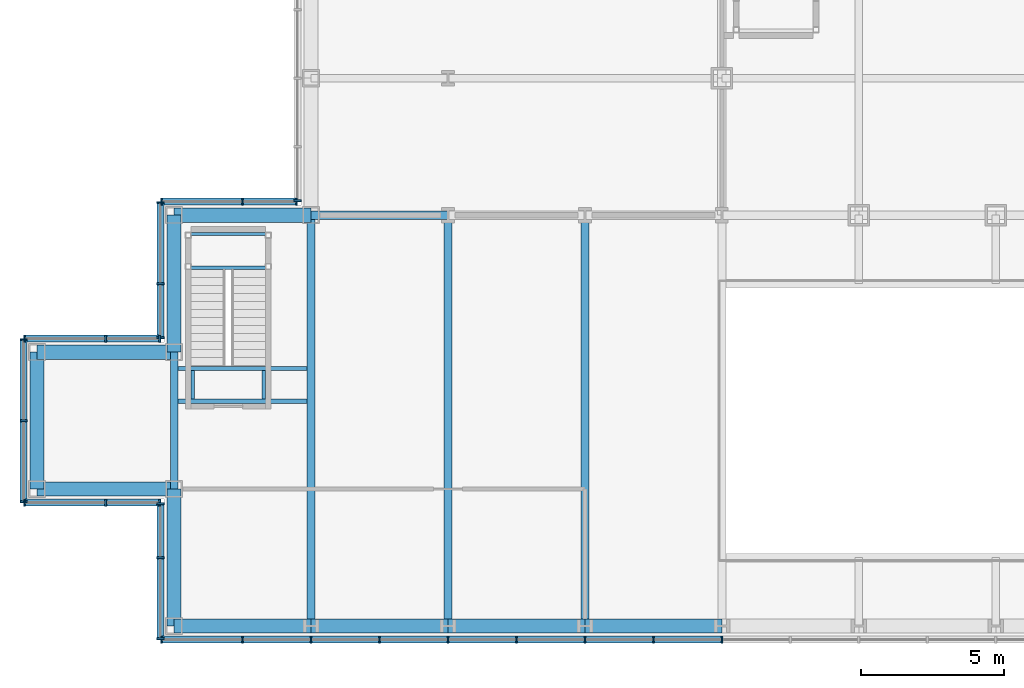
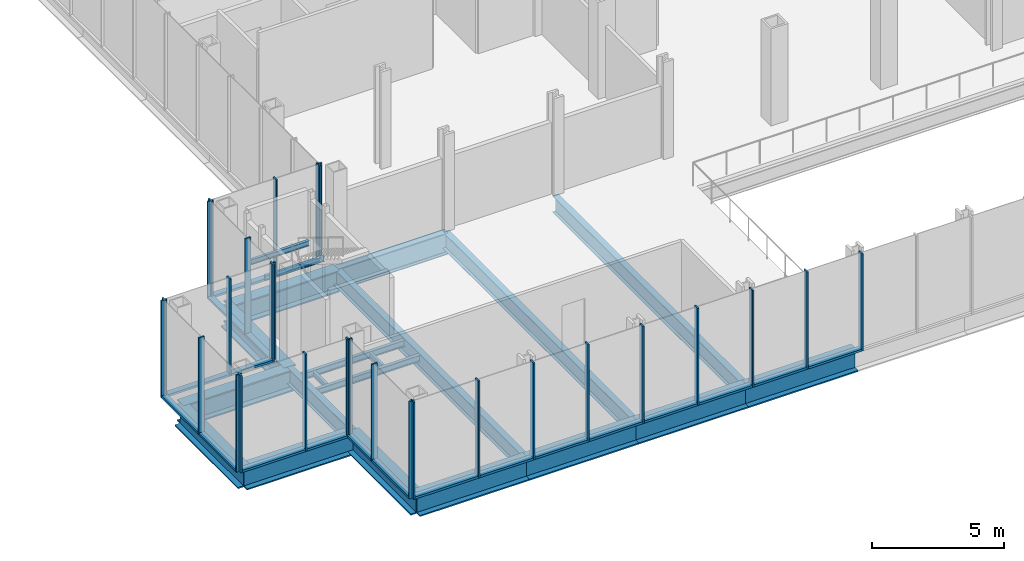
# One storey, part 11 of 25: 48 members, 21 beams, 8 elements without a shape of their own.
"""IFC4 building model written with IfcOpenShell, lengths in metres."""

from ifc_helpers import new_model, si_unit, direction, frame, origin, origin_2d, place, context, subcontext, project, spatial, rectangle, i_section, extrude, material, material_profile, profile_set, type_object, element, aggregate, save


model = new_model("IFC4")

# Units and contexts
model_context = context("Model", 3, precision=1e-05, world=origin(), true_north=direction((0.0, 1.0)))
body_context = subcontext(model_context, "Body", "Model", "MODEL_VIEW")
ifc_project = project(units=[si_unit("LENGTHUNIT", "METRE"), si_unit("AREAUNIT", "SQUARE_METRE"), si_unit("VOLUMEUNIT", "CUBIC_METRE"), si_unit("PLANEANGLEUNIT", "RADIAN"), si_unit("MASSUNIT", "GRAM", prefix="KILO")], contexts=[model_context])

# Site, building, storey
site_placement = place(None, origin())
site = spatial("IfcSite", under=ifc_project, at=site_placement, CompositionType="ELEMENT")
building_placement = place(site_placement, origin())
building = spatial("IfcBuilding", under=site, at=building_placement, Name="Kvirike Care Tower", CompositionType="ELEMENT")
storey_placement = place(building_placement, frame((0.0, 0.0, 13.5)))
storey = spatial("IfcBuildingStorey", under=building, at=storey_placement, Name="L03", CompositionType="ELEMENT", Elevation=13.5)

# Curtain wall, members
ifc_material_1 = material(Name="Anodised aluminium stick system", Category="aluminium")
curtain_wall_type = type_object("IfcCurtainWallType", Name="CW-P PODIUM STICK CURTAIN WALL", PredefinedType="NOTDEFINED", material=ifc_material_1)
curtain_wall_1_placement = place(storey_placement, origin())
curtain_wall_1 = element("IfcCurtainWall", 1, at=curtain_wall_1_placement, inside=storey, type_object=curtain_wall_type, Name="Curtain wall L03 face 1", PredefinedType="NOTDEFINED")
ifc_material_2 = material(Name="Bronze anodised aluminium mullion", Category="aluminium")
ifc_material_profile_1 = material_profile(ifc_material_2, rectangle(XDim=0.06494140625, YDim=0.25, at=origin_2d()), Name="CW-P MULLION 65x250")
ifc_profile_set_1 = profile_set([ifc_material_profile_1], Name="Bronze anodised aluminium mullion")
member_type_1 = type_object("IfcMemberType", Name="CW-P MULLION 65x250", PredefinedType="MULLION", material=ifc_profile_set_1)
member_1_placement = place(storey_placement, frame((-5.242431640625, -0.47509765625, 0.0), z_axis=(0.0, 0.0, 1.0), x_axis=(1.0, 0.0, 0.0)))
member_1 = element("IfcMember", 2, at=member_1_placement, type_object=member_type_1, Name="CW-P mullion L03 face 1.1", PredefinedType="MULLION", context=body_context, shape_type="SweptSolid", body=[
    extrude(rectangle(XDim=0.06494140625, YDim=0.25, at=origin_2d()), origin(), (0.0, 0.0, 1.0), 4.5),
])
member_2_placement = place(storey_placement, frame((-2.39990234375, -0.47509765625, 0.0), z_axis=(0.0, 0.0, 1.0), x_axis=(1.0, 0.0, 0.0)))
member_2 = element("IfcMember", 3, at=member_2_placement, type_object=member_type_1, Name="CW-P mullion L03 face 1.2", PredefinedType="MULLION", context=body_context, shape_type="SweptSolid", body=[
    extrude(rectangle(XDim=0.06494140625, YDim=0.25, at=origin_2d()), origin(), (0.0, 0.0, 1.0), 4.5),
])
member_3_placement = place(storey_placement, frame((0.0, -0.47509765625, 0.0), z_axis=(0.0, 0.0, 1.0), x_axis=(1.0, 0.0, 0.0)))
member_3 = element("IfcMember", 4, at=member_3_placement, type_object=member_type_1, Name="CW-P mullion L03 face 1.3", PredefinedType="MULLION", context=body_context, shape_type="SweptSolid", body=[
    extrude(rectangle(XDim=0.06494140625, YDim=0.25, at=origin_2d()), origin(), (0.0, 0.0, 1.0), 4.5),
])
member_4_placement = place(storey_placement, frame((2.39990234375, -0.47509765625, 0.0), z_axis=(0.0, 0.0, 1.0), x_axis=(1.0, 0.0, 0.0)))
member_4 = element("IfcMember", 5, at=member_4_placement, type_object=member_type_1, Name="CW-P mullion L03 face 1.4", PredefinedType="MULLION", context=body_context, shape_type="SweptSolid", body=[
    extrude(rectangle(XDim=0.06494140625, YDim=0.25, at=origin_2d()), origin(), (0.0, 0.0, 1.0), 4.5),
])
member_5_placement = place(storey_placement, frame((4.800048828125, -0.47509765625, 0.0), z_axis=(0.0, 0.0, 1.0), x_axis=(1.0, 0.0, 0.0)))
member_5 = element("IfcMember", 6, at=member_5_placement, type_object=member_type_1, Name="CW-P mullion L03 face 1.5", PredefinedType="MULLION", context=body_context, shape_type="SweptSolid", body=[
    extrude(rectangle(XDim=0.06494140625, YDim=0.25, at=origin_2d()), origin(), (0.0, 0.0, 1.0), 4.5),
])
member_6_placement = place(storey_placement, frame((7.199951171875, -0.47509765625, 0.0), z_axis=(0.0, 0.0, 1.0), x_axis=(1.0, 0.0, 0.0)))
member_6 = element("IfcMember", 7, at=member_6_placement, type_object=member_type_1, Name="CW-P mullion L03 face 1.6", PredefinedType="MULLION", context=body_context, shape_type="SweptSolid", body=[
    extrude(rectangle(XDim=0.06494140625, YDim=0.25, at=origin_2d()), origin(), (0.0, 0.0, 1.0), 4.5),
])
member_7_placement = place(storey_placement, frame((9.60009765625, -0.47509765625, 0.0), z_axis=(0.0, 0.0, 1.0), x_axis=(1.0, 0.0, 0.0)))
member_7 = element("IfcMember", 8, at=member_7_placement, type_object=member_type_1, Name="CW-P mullion L03 face 1.7", PredefinedType="MULLION", context=body_context, shape_type="SweptSolid", body=[
    extrude(rectangle(XDim=0.06494140625, YDim=0.25, at=origin_2d()), origin(), (0.0, 0.0, 1.0), 4.5),
])
member_8_placement = place(storey_placement, frame((12.0, -0.47509765625, 0.0), z_axis=(0.0, 0.0, 1.0), x_axis=(1.0, 0.0, 0.0)))
member_8 = element("IfcMember", 9, at=member_8_placement, type_object=member_type_1, Name="CW-P mullion L03 face 1.8", PredefinedType="MULLION", context=body_context, shape_type="SweptSolid", body=[
    extrude(rectangle(XDim=0.06494140625, YDim=0.25, at=origin_2d()), origin(), (0.0, 0.0, 1.0), 4.5),
])
member_9_placement = place(storey_placement, frame((14.39990234375, -0.47509765625, 0.0), z_axis=(0.0, 0.0, 1.0), x_axis=(1.0, 0.0, 0.0)))
member_9 = element("IfcMember", 10, at=member_9_placement, type_object=member_type_1, Name="CW-P mullion L03 face 1.9", PredefinedType="MULLION", context=body_context, shape_type="SweptSolid", body=[
    extrude(rectangle(XDim=0.06494140625, YDim=0.25, at=origin_2d()), origin(), (0.0, 0.0, 1.0), 4.5),
])

# Curtain wall, member
curtain_wall_2_placement = place(storey_placement, origin())
curtain_wall_2 = element("IfcCurtainWall", 11, at=curtain_wall_2_placement, inside=storey, type_object=curtain_wall_type, Name="Curtain wall L03 face 14", PredefinedType="NOTDEFINED")
member_10_placement = place(storey_placement, frame((-0.47509765625, 14.907470703125, 0.0), z_axis=(0.0, 0.0, 1.0), x_axis=(0.0, -1.0, 0.0)))
member_10 = element("IfcMember", 12, at=member_10_placement, type_object=member_type_1, Name="CW-P mullion L03 face 14.17", PredefinedType="MULLION", context=body_context, shape_type="SweptSolid", body=[
    extrude(rectangle(XDim=0.06494140625, YDim=0.25, at=origin_2d()), origin(), (0.0, 0.0, 1.0), 4.5),
])
aggregate(curtain_wall_2, [member_10])

# Curtain wall, members
curtain_wall_3_placement = place(storey_placement, origin())
curtain_wall_3 = element("IfcCurtainWall", 13, at=curtain_wall_3_placement, inside=storey, type_object=curtain_wall_type, Name="Curtain wall L03 face 15", PredefinedType="NOTDEFINED")
member_11_placement = place(storey_placement, frame((-0.507568359375, 14.875, 0.0), z_axis=(0.0, 0.0, 1.0), x_axis=(-1.0, 0.0, 0.0)))
member_11 = element("IfcMember", 14, at=member_11_placement, type_object=member_type_1, Name="CW-P mullion L03 face 15.1", PredefinedType="MULLION", context=body_context, shape_type="SweptSolid", body=[
    extrude(rectangle(XDim=0.06494140625, YDim=0.25, at=origin_2d()), origin(), (0.0, 0.0, 1.0), 4.5),
])
member_12_placement = place(storey_placement, frame((-2.39990234375, 14.875, 0.0), z_axis=(0.0, 0.0, 1.0), x_axis=(-1.0, 0.0, 0.0)))
member_12 = element("IfcMember", 15, at=member_12_placement, type_object=member_type_1, Name="CW-P mullion L03 face 15.2", PredefinedType="MULLION", context=body_context, shape_type="SweptSolid", body=[
    extrude(rectangle(XDim=0.06494140625, YDim=0.25, at=origin_2d()), origin(), (0.0, 0.0, 1.0), 4.5),
])
member_13_placement = place(storey_placement, frame((-5.242431640625, 14.875, 0.0), z_axis=(0.0, 0.0, 1.0), x_axis=(-1.0, 0.0, 0.0)))
member_13 = element("IfcMember", 16, at=member_13_placement, type_object=member_type_1, Name="CW-P mullion L03 face 15.3", PredefinedType="MULLION", context=body_context, shape_type="SweptSolid", body=[
    extrude(rectangle(XDim=0.06494140625, YDim=0.25, at=origin_2d()), origin(), (0.0, 0.0, 1.0), 4.5),
])

curtain_wall_4_placement = place(storey_placement, origin())
curtain_wall_4 = element("IfcCurtainWall", 17, at=curtain_wall_4_placement, inside=storey, type_object=curtain_wall_type, Name="Curtain wall L03 face 16", PredefinedType="NOTDEFINED")
member_14_placement = place(storey_placement, frame((-5.27490234375, 14.842529296875, 0.0), z_axis=(0.0, 0.0, 1.0), x_axis=(0.0, -1.0, 0.0)))
member_14 = element("IfcMember", 18, at=member_14_placement, type_object=member_type_1, Name="CW-P mullion L03 face 16.1", PredefinedType="MULLION", context=body_context, shape_type="SweptSolid", body=[
    extrude(rectangle(XDim=0.06494140625, YDim=0.25, at=origin_2d()), origin(), (0.0, 0.0, 1.0), 4.5),
])
member_15_placement = place(storey_placement, frame((-5.27490234375, 12.0, 0.0), z_axis=(0.0, 0.0, 1.0), x_axis=(0.0, -1.0, 0.0)))
member_15 = element("IfcMember", 19, at=member_15_placement, type_object=member_type_1, Name="CW-P mullion L03 face 16.2", PredefinedType="MULLION", context=body_context, shape_type="SweptSolid", body=[
    extrude(rectangle(XDim=0.06494140625, YDim=0.25, at=origin_2d()), origin(), (0.0, 0.0, 1.0), 4.5),
])
member_16_placement = place(storey_placement, frame((-5.27490234375, 10.107421875, 0.0), z_axis=(0.0, 0.0, 1.0), x_axis=(0.0, -1.0, 0.0)))
member_16 = element("IfcMember", 20, at=member_16_placement, type_object=member_type_1, Name="CW-P mullion L03 face 16.3", PredefinedType="MULLION", context=body_context, shape_type="SweptSolid", body=[
    extrude(rectangle(XDim=0.06494140625, YDim=0.25, at=origin_2d()), origin(), (0.0, 0.0, 1.0), 4.5),
])

curtain_wall_5_placement = place(storey_placement, origin())
curtain_wall_5 = element("IfcCurtainWall", 21, at=curtain_wall_5_placement, inside=storey, type_object=curtain_wall_type, Name="Curtain wall L03 face 17", PredefinedType="NOTDEFINED")
member_17_placement = place(storey_placement, frame((-5.3076171875, 10.074951171875, 0.0), z_axis=(0.0, 0.0, 1.0), x_axis=(-1.0, 0.0, 0.0)))
member_17 = element("IfcMember", 22, at=member_17_placement, type_object=member_type_1, Name="CW-P mullion L03 face 17.1", PredefinedType="MULLION", context=body_context, shape_type="SweptSolid", body=[
    extrude(rectangle(XDim=0.06494140625, YDim=0.25, at=origin_2d()), origin(), (0.0, 0.0, 1.0), 4.5),
])
member_18_placement = place(storey_placement, frame((-7.199951171875, 10.074951171875, 0.0), z_axis=(0.0, 0.0, 1.0), x_axis=(-1.0, 0.0, 0.0)))
member_18 = element("IfcMember", 23, at=member_18_placement, type_object=member_type_1, Name="CW-P mullion L03 face 17.2", PredefinedType="MULLION", context=body_context, shape_type="SweptSolid", body=[
    extrude(rectangle(XDim=0.06494140625, YDim=0.25, at=origin_2d()), origin(), (0.0, 0.0, 1.0), 4.5),
])
member_19_placement = place(storey_placement, frame((-10.04248046875, 10.074951171875, 0.0), z_axis=(0.0, 0.0, 1.0), x_axis=(-1.0, 0.0, 0.0)))
member_19 = element("IfcMember", 24, at=member_19_placement, type_object=member_type_1, Name="CW-P mullion L03 face 17.3", PredefinedType="MULLION", context=body_context, shape_type="SweptSolid", body=[
    extrude(rectangle(XDim=0.06494140625, YDim=0.25, at=origin_2d()), origin(), (0.0, 0.0, 1.0), 4.5),
])

curtain_wall_6_placement = place(storey_placement, origin())
curtain_wall_6 = element("IfcCurtainWall", 25, at=curtain_wall_6_placement, inside=storey, type_object=curtain_wall_type, Name="Curtain wall L03 face 18", PredefinedType="NOTDEFINED")
member_20_placement = place(storey_placement, frame((-10.074951171875, 10.04248046875, 0.0), z_axis=(0.0, 0.0, 1.0), x_axis=(0.0, -1.0, 0.0)))
member_20 = element("IfcMember", 26, at=member_20_placement, type_object=member_type_1, Name="CW-P mullion L03 face 18.1", PredefinedType="MULLION", context=body_context, shape_type="SweptSolid", body=[
    extrude(rectangle(XDim=0.06494140625, YDim=0.25, at=origin_2d()), origin(), (0.0, 0.0, 1.0), 4.5),
])
member_21_placement = place(storey_placement, frame((-10.074951171875, 7.199951171875, 0.0), z_axis=(0.0, 0.0, 1.0), x_axis=(0.0, -1.0, 0.0)))
member_21 = element("IfcMember", 27, at=member_21_placement, type_object=member_type_1, Name="CW-P mullion L03 face 18.2", PredefinedType="MULLION", context=body_context, shape_type="SweptSolid", body=[
    extrude(rectangle(XDim=0.06494140625, YDim=0.25, at=origin_2d()), origin(), (0.0, 0.0, 1.0), 4.5),
])
member_22_placement = place(storey_placement, frame((-10.074951171875, 4.357421875, 0.0), z_axis=(0.0, 0.0, 1.0), x_axis=(0.0, -1.0, 0.0)))
member_22 = element("IfcMember", 28, at=member_22_placement, type_object=member_type_1, Name="CW-P mullion L03 face 18.3", PredefinedType="MULLION", context=body_context, shape_type="SweptSolid", body=[
    extrude(rectangle(XDim=0.06494140625, YDim=0.25, at=origin_2d()), origin(), (0.0, 0.0, 1.0), 4.5),
])

curtain_wall_7_placement = place(storey_placement, origin())
curtain_wall_7 = element("IfcCurtainWall", 29, at=curtain_wall_7_placement, inside=storey, type_object=curtain_wall_type, Name="Curtain wall L03 face 19", PredefinedType="NOTDEFINED")
member_23_placement = place(storey_placement, frame((-10.04248046875, 4.324951171875, 0.0), z_axis=(0.0, 0.0, 1.0), x_axis=(1.0, 0.0, 0.0)))
member_23 = element("IfcMember", 30, at=member_23_placement, type_object=member_type_1, Name="CW-P mullion L03 face 19.1", PredefinedType="MULLION", context=body_context, shape_type="SweptSolid", body=[
    extrude(rectangle(XDim=0.06494140625, YDim=0.25, at=origin_2d()), origin(), (0.0, 0.0, 1.0), 4.5),
])
member_24_placement = place(storey_placement, frame((-7.199951171875, 4.324951171875, 0.0), z_axis=(0.0, 0.0, 1.0), x_axis=(1.0, 0.0, 0.0)))
member_24 = element("IfcMember", 31, at=member_24_placement, type_object=member_type_1, Name="CW-P mullion L03 face 19.2", PredefinedType="MULLION", context=body_context, shape_type="SweptSolid", body=[
    extrude(rectangle(XDim=0.06494140625, YDim=0.25, at=origin_2d()), origin(), (0.0, 0.0, 1.0), 4.5),
])
member_25_placement = place(storey_placement, frame((-5.3076171875, 4.324951171875, 0.0), z_axis=(0.0, 0.0, 1.0), x_axis=(1.0, 0.0, 0.0)))
member_25 = element("IfcMember", 32, at=member_25_placement, type_object=member_type_1, Name="CW-P mullion L03 face 19.3", PredefinedType="MULLION", context=body_context, shape_type="SweptSolid", body=[
    extrude(rectangle(XDim=0.06494140625, YDim=0.25, at=origin_2d()), origin(), (0.0, 0.0, 1.0), 4.5),
])

curtain_wall_8_placement = place(storey_placement, origin())
curtain_wall_8 = element("IfcCurtainWall", 33, at=curtain_wall_8_placement, inside=storey, type_object=curtain_wall_type, Name="Curtain wall L03 face 20", PredefinedType="NOTDEFINED")
member_26_placement = place(storey_placement, frame((-5.27490234375, 4.29248046875, 0.0), z_axis=(0.0, 0.0, 1.0), x_axis=(0.0, -1.0, 0.0)))
member_26 = element("IfcMember", 34, at=member_26_placement, type_object=member_type_1, Name="CW-P mullion L03 face 20.1", PredefinedType="MULLION", context=body_context, shape_type="SweptSolid", body=[
    extrude(rectangle(XDim=0.06494140625, YDim=0.25, at=origin_2d()), origin(), (0.0, 0.0, 1.0), 4.5),
])
member_27_placement = place(storey_placement, frame((-5.27490234375, 2.39990234375, 0.0), z_axis=(0.0, 0.0, 1.0), x_axis=(0.0, -1.0, 0.0)))
member_27 = element("IfcMember", 35, at=member_27_placement, type_object=member_type_1, Name="CW-P mullion L03 face 20.2", PredefinedType="MULLION", context=body_context, shape_type="SweptSolid", body=[
    extrude(rectangle(XDim=0.06494140625, YDim=0.25, at=origin_2d()), origin(), (0.0, 0.0, 1.0), 4.5),
])
member_28_placement = place(storey_placement, frame((-5.27490234375, -0.4423828125, 0.0), z_axis=(0.0, 0.0, 1.0), x_axis=(0.0, -1.0, 0.0)))
member_28 = element("IfcMember", 36, at=member_28_placement, type_object=member_type_1, Name="CW-P mullion L03 face 20.3", PredefinedType="MULLION", context=body_context, shape_type="SweptSolid", body=[
    extrude(rectangle(XDim=0.06494140625, YDim=0.25, at=origin_2d()), origin(), (0.0, 0.0, 1.0), 4.5),
])

# Member
ifc_material_3 = material(Name="Bronze anodised aluminium transom", Category="aluminium")
ifc_material_profile_2 = material_profile(ifc_material_3, rectangle(XDim=0.25, YDim=0.10009765625, at=origin_2d()), Name="CW-P TRANSOM 250x100")
ifc_profile_set_2 = profile_set([ifc_material_profile_2], Name="Bronze anodised aluminium transom")
member_type_2 = type_object("IfcMemberType", Name="CW-P TRANSOM 250x100", PredefinedType="USERDEFINED", material=ifc_profile_set_2)
member_29_placement = place(storey_placement, frame((-5.2099609375, -0.47509765625, 0.050048828125), z_axis=(1.0, 0.0, 0.0), x_axis=(0.0, 1.0, 0.0)))
member_29 = element("IfcMember", 37, at=member_29_placement, type_object=member_type_2, Name="CW-P sill transom L03 face 1.1", ObjectType="TRANSOM", PredefinedType="USERDEFINED", context=body_context, shape_type="SweptSolid", body=[
    extrude(rectangle(XDim=0.25, YDim=0.10009765625, at=origin_2d()), origin(), (0.0, 0.0, 1.0), 2.77734375),
])

member_30_placement = place(storey_placement, frame((-2.367431640625, -0.47509765625, 0.050048828125), z_axis=(1.0, 0.0, 0.0), x_axis=(0.0, 1.0, 0.0)))
member_30 = element("IfcMember", 38, at=member_30_placement, type_object=member_type_2, Name="CW-P sill transom L03 face 1.2", ObjectType="TRANSOM", PredefinedType="USERDEFINED", context=body_context, shape_type="SweptSolid", body=[
    extrude(rectangle(XDim=0.25, YDim=0.10009765625, at=origin_2d()), origin(), (0.0, 0.0, 1.0), 2.3349609375),
])

member_31_placement = place(storey_placement, frame((0.032470703125, -0.47509765625, 0.050048828125), z_axis=(1.0, 0.0, 0.0), x_axis=(0.0, 1.0, 0.0)))
member_31 = element("IfcMember", 39, at=member_31_placement, type_object=member_type_2, Name="CW-P sill transom L03 face 1.3", ObjectType="TRANSOM", PredefinedType="USERDEFINED", context=body_context, shape_type="SweptSolid", body=[
    extrude(rectangle(XDim=0.25, YDim=0.10009765625, at=origin_2d()), origin(), (0.0, 0.0, 1.0), 2.3349609375),
])

member_32_placement = place(storey_placement, frame((2.4326171875, -0.47509765625, 0.050048828125), z_axis=(1.0, 0.0, 0.0), x_axis=(0.0, 1.0, 0.0)))
member_32 = element("IfcMember", 40, at=member_32_placement, type_object=member_type_2, Name="CW-P sill transom L03 face 1.4", ObjectType="TRANSOM", PredefinedType="USERDEFINED", context=body_context, shape_type="SweptSolid", body=[
    extrude(rectangle(XDim=0.25, YDim=0.10009765625, at=origin_2d()), origin(), (0.0, 0.0, 1.0), 2.3349609375),
])

member_33_placement = place(storey_placement, frame((4.83251953125, -0.47509765625, 0.050048828125), z_axis=(1.0, 0.0, 0.0), x_axis=(0.0, 1.0, 0.0)))
member_33 = element("IfcMember", 41, at=member_33_placement, type_object=member_type_2, Name="CW-P sill transom L03 face 1.5", ObjectType="TRANSOM", PredefinedType="USERDEFINED", context=body_context, shape_type="SweptSolid", body=[
    extrude(rectangle(XDim=0.25, YDim=0.10009765625, at=origin_2d()), origin(), (0.0, 0.0, 1.0), 2.3349609375),
])

member_34_placement = place(storey_placement, frame((7.232421875, -0.47509765625, 0.050048828125), z_axis=(1.0, 0.0, 0.0), x_axis=(0.0, 1.0, 0.0)))
member_34 = element("IfcMember", 42, at=member_34_placement, type_object=member_type_2, Name="CW-P sill transom L03 face 1.6", ObjectType="TRANSOM", PredefinedType="USERDEFINED", context=body_context, shape_type="SweptSolid", body=[
    extrude(rectangle(XDim=0.25, YDim=0.10009765625, at=origin_2d()), origin(), (0.0, 0.0, 1.0), 2.3349609375),
])

member_35_placement = place(storey_placement, frame((9.632568359375, -0.47509765625, 0.050048828125), z_axis=(1.0, 0.0, 0.0), x_axis=(0.0, 1.0, 0.0)))
member_35 = element("IfcMember", 43, at=member_35_placement, type_object=member_type_2, Name="CW-P sill transom L03 face 1.7", ObjectType="TRANSOM", PredefinedType="USERDEFINED", context=body_context, shape_type="SweptSolid", body=[
    extrude(rectangle(XDim=0.25, YDim=0.10009765625, at=origin_2d()), origin(), (0.0, 0.0, 1.0), 2.3349609375),
])

member_36_placement = place(storey_placement, frame((12.032470703125, -0.47509765625, 0.050048828125), z_axis=(1.0, 0.0, 0.0), x_axis=(0.0, 1.0, 0.0)))
member_36 = element("IfcMember", 44, at=member_36_placement, type_object=member_type_2, Name="CW-P sill transom L03 face 1.8", ObjectType="TRANSOM", PredefinedType="USERDEFINED", context=body_context, shape_type="SweptSolid", body=[
    extrude(rectangle(XDim=0.25, YDim=0.10009765625, at=origin_2d()), origin(), (0.0, 0.0, 1.0), 2.3349609375),
])

aggregate(curtain_wall_1, [member_1, member_2, member_3, member_4, member_5, member_6, member_7, member_8, member_9, member_29, member_30, member_31, member_32, member_33, member_34, member_35, member_36])

member_37_placement = place(storey_placement, frame((-0.5400390625, 14.875, 0.050048828125), z_axis=(-1.0, 0.0, 0.0), x_axis=(0.0, -1.0, 0.0)))
member_37 = element("IfcMember", 45, at=member_37_placement, type_object=member_type_2, Name="CW-P sill transom L03 face 15.1", ObjectType="TRANSOM", PredefinedType="USERDEFINED", context=body_context, shape_type="SweptSolid", body=[
    extrude(rectangle(XDim=0.25, YDim=0.10009765625, at=origin_2d()), origin(), (0.0, 0.0, 1.0), 1.827392578125),
])

member_38_placement = place(storey_placement, frame((-2.4326171875, 14.875, 0.050048828125), z_axis=(-1.0, 0.0, 0.0), x_axis=(0.0, -1.0, 0.0)))
member_38 = element("IfcMember", 46, at=member_38_placement, type_object=member_type_2, Name="CW-P sill transom L03 face 15.2", ObjectType="TRANSOM", PredefinedType="USERDEFINED", context=body_context, shape_type="SweptSolid", body=[
    extrude(rectangle(XDim=0.25, YDim=0.10009765625, at=origin_2d()), origin(), (0.0, 0.0, 1.0), 2.77734375),
])

aggregate(curtain_wall_3, [member_11, member_12, member_13, member_37, member_38])

member_39_placement = place(storey_placement, frame((-5.27490234375, 14.81005859375, 0.050048828125), z_axis=(0.0, -1.0, 0.0), x_axis=(1.0, 0.0, 0.0)))
member_39 = element("IfcMember", 47, at=member_39_placement, type_object=member_type_2, Name="CW-P sill transom L03 face 16.1", ObjectType="TRANSOM", PredefinedType="USERDEFINED", context=body_context, shape_type="SweptSolid", body=[
    extrude(rectangle(XDim=0.25, YDim=0.10009765625, at=origin_2d()), origin(), (0.0, 0.0, 1.0), 2.777587890625),
])

member_40_placement = place(storey_placement, frame((-5.27490234375, 11.967529296875, 0.050048828125), z_axis=(0.0, -1.0, 0.0), x_axis=(1.0, 0.0, 0.0)))
member_40 = element("IfcMember", 48, at=member_40_placement, type_object=member_type_2, Name="CW-P sill transom L03 face 16.2", ObjectType="TRANSOM", PredefinedType="USERDEFINED", context=body_context, shape_type="SweptSolid", body=[
    extrude(rectangle(XDim=0.25, YDim=0.10009765625, at=origin_2d()), origin(), (0.0, 0.0, 1.0), 1.82763671875),
])

aggregate(curtain_wall_4, [member_14, member_15, member_16, member_39, member_40])

member_41_placement = place(storey_placement, frame((-5.340087890625, 10.074951171875, 0.050048828125), z_axis=(-1.0, 0.0, 0.0), x_axis=(0.0, -1.0, 0.0)))
member_41 = element("IfcMember", 49, at=member_41_placement, type_object=member_type_2, Name="CW-P sill transom L03 face 17.1", ObjectType="TRANSOM", PredefinedType="USERDEFINED", context=body_context, shape_type="SweptSolid", body=[
    extrude(rectangle(XDim=0.25, YDim=0.10009765625, at=origin_2d()), origin(), (0.0, 0.0, 1.0), 1.827392578125),
])

member_42_placement = place(storey_placement, frame((-7.232421875, 10.074951171875, 0.050048828125), z_axis=(-1.0, 0.0, 0.0), x_axis=(0.0, -1.0, 0.0)))
member_42 = element("IfcMember", 50, at=member_42_placement, type_object=member_type_2, Name="CW-P sill transom L03 face 17.2", ObjectType="TRANSOM", PredefinedType="USERDEFINED", context=body_context, shape_type="SweptSolid", body=[
    extrude(rectangle(XDim=0.25, YDim=0.10009765625, at=origin_2d()), origin(), (0.0, 0.0, 1.0), 2.777587890625),
])

aggregate(curtain_wall_5, [member_17, member_18, member_19, member_41, member_42])

member_43_placement = place(storey_placement, frame((-10.074951171875, 10.010009765625, 0.050048828125), z_axis=(0.0, -1.0, 0.0), x_axis=(1.0, 0.0, 0.0)))
member_43 = element("IfcMember", 51, at=member_43_placement, type_object=member_type_2, Name="CW-P sill transom L03 face 18.1", ObjectType="TRANSOM", PredefinedType="USERDEFINED", context=body_context, shape_type="SweptSolid", body=[
    extrude(rectangle(XDim=0.25, YDim=0.10009765625, at=origin_2d()), origin(), (0.0, 0.0, 1.0), 2.777587890625),
])

member_44_placement = place(storey_placement, frame((-10.074951171875, 7.16748046875, 0.050048828125), z_axis=(0.0, -1.0, 0.0), x_axis=(1.0, 0.0, 0.0)))
member_44 = element("IfcMember", 52, at=member_44_placement, type_object=member_type_2, Name="CW-P sill transom L03 face 18.2", ObjectType="TRANSOM", PredefinedType="USERDEFINED", context=body_context, shape_type="SweptSolid", body=[
    extrude(rectangle(XDim=0.25, YDim=0.10009765625, at=origin_2d()), origin(), (0.0, 0.0, 1.0), 2.777587890625),
])

aggregate(curtain_wall_6, [member_20, member_21, member_22, member_43, member_44])

member_45_placement = place(storey_placement, frame((-10.010009765625, 4.324951171875, 0.050048828125), z_axis=(1.0, 0.0, 0.0), x_axis=(0.0, 1.0, 0.0)))
member_45 = element("IfcMember", 53, at=member_45_placement, type_object=member_type_2, Name="CW-P sill transom L03 face 19.1", ObjectType="TRANSOM", PredefinedType="USERDEFINED", context=body_context, shape_type="SweptSolid", body=[
    extrude(rectangle(XDim=0.25, YDim=0.10009765625, at=origin_2d()), origin(), (0.0, 0.0, 1.0), 2.777587890625),
])

member_46_placement = place(storey_placement, frame((-7.16748046875, 4.324951171875, 0.050048828125), z_axis=(1.0, 0.0, 0.0), x_axis=(0.0, 1.0, 0.0)))
member_46 = element("IfcMember", 54, at=member_46_placement, type_object=member_type_2, Name="CW-P sill transom L03 face 19.2", ObjectType="TRANSOM", PredefinedType="USERDEFINED", context=body_context, shape_type="SweptSolid", body=[
    extrude(rectangle(XDim=0.25, YDim=0.10009765625, at=origin_2d()), origin(), (0.0, 0.0, 1.0), 1.827392578125),
])

aggregate(curtain_wall_7, [member_23, member_24, member_25, member_45, member_46])

member_47_placement = place(storey_placement, frame((-5.27490234375, 4.260009765625, 0.050048828125), z_axis=(0.0, -1.0, 0.0), x_axis=(1.0, 0.0, 0.0)))
member_47 = element("IfcMember", 55, at=member_47_placement, type_object=member_type_2, Name="CW-P sill transom L03 face 20.1", ObjectType="TRANSOM", PredefinedType="USERDEFINED", context=body_context, shape_type="SweptSolid", body=[
    extrude(rectangle(XDim=0.25, YDim=0.10009765625, at=origin_2d()), origin(), (0.0, 0.0, 1.0), 1.827392578125),
])

member_48_placement = place(storey_placement, frame((-5.27490234375, 2.367431640625, 0.050048828125), z_axis=(0.0, -1.0, 0.0), x_axis=(1.0, 0.0, 0.0)))
member_48 = element("IfcMember", 56, at=member_48_placement, type_object=member_type_2, Name="CW-P sill transom L03 face 20.2", ObjectType="TRANSOM", PredefinedType="USERDEFINED", context=body_context, shape_type="SweptSolid", body=[
    extrude(rectangle(XDim=0.25, YDim=0.10009765625, at=origin_2d()), origin(), (0.0, 0.0, 1.0), 2.77734375),
])

aggregate(curtain_wall_8, [member_26, member_27, member_28, member_47, member_48])

# Beams
ifc_material_4 = material(Name="Steel S355", Category="steel")
ifc_material_profile_3 = material_profile(ifc_material_4, i_section(OverallWidth=0.26806640625, OverallDepth=0.77001953125, WebThickness=0.015625, FlangeThickness=0.025390625, FilletRadius=0.01708984375, at=origin_2d()), Name="IPE 750x196")
ifc_profile_set_3 = profile_set([ifc_material_profile_3], Name="Steel S355")
beam_type_1 = type_object("IfcBeamType", Name="FLOOR BEAM IPE 750x196", PredefinedType="BEAM", material=ifc_profile_set_3)
beam_1_placement = place(storey_placement, frame((-4.800048828125, 4.800048828125, -0.554931640625), z_axis=(0.0, 1.0, 0.0), x_axis=(-1.0, 0.0, 0.0)))
element("IfcBeam", 57, at=beam_1_placement, inside=storey, type_object=beam_type_1, Name="Floor Beam B2-C2 L03", PredefinedType="BEAM", context=body_context, shape_type="SweptSolid", body=[
    extrude(i_section(OverallWidth=0.26806640625, OverallDepth=0.77001953125, WebThickness=0.015625, FlangeThickness=0.025390625, FilletRadius=0.01708984375, at=origin_2d()), origin(), (0.0, 0.0, 1.0), 4.800048828125),
])
for number, where, z_axis, x_axis, name in (
    (58, (0.0, 0.0, -0.554931640625), (0.0, 1.0, 0.0), (-1.0, 0.0, 0.0), "Floor Beam A3-D3 L03"),
    (59, (4.800048828125, 0.0, -0.554931640625), (0.0, 1.0, 0.0), (-1.0, 0.0, 0.0), "Floor Beam A4-D4 L03"),
    (60, (9.60009765625, 0.0, -0.554931640625), (0.0, 1.0, 0.0), (-1.0, 0.0, 0.0), "Floor Beam A5-D5 L03"),
):
    element("IfcBeam", number, at=place(storey_placement, frame(where, z_axis=z_axis, x_axis=x_axis)), inside=storey, type_object=beam_type_1, Name=name, PredefinedType="BEAM", context=body_context, shape_type="SweptSolid", body=[
        extrude(i_section(OverallWidth=0.26806640625, OverallDepth=0.77001953125, WebThickness=0.015625, FlangeThickness=0.025390625, FilletRadius=0.01708984375, at=origin_2d()), origin(), (0.0, 0.0, 1.0), 14.39990234375),
    ])
ifc_material_5 = material(Name="Steel S355", Category="steel")
ifc_material_profile_4 = material_profile(ifc_material_5, i_section(OverallWidth=0.300048828125, OverallDepth=1.0, WebThickness=0.01904296875, FlangeThickness=0.035888671875, FilletRadius=0.030029296875, at=origin_2d()), Name="HE 1000 B")
ifc_profile_set_4 = profile_set([ifc_material_profile_4], Name="Steel S355")
beam_type_2 = type_object("IfcBeamType", Name="FRAME BEAM HE 1000 B", PredefinedType="BEAM", material=ifc_profile_set_4)
beam_2_placement = place(storey_placement, frame((0.0, 14.39990234375, -0.669921875), z_axis=(1.0, 0.0, 0.0), x_axis=(0.0, 1.0, 0.0)))
element("IfcBeam", 61, at=beam_2_placement, inside=storey, type_object=beam_type_2, Name="Frame Beam D3-D4 L03", PredefinedType="BEAM", context=body_context, shape_type="SweptSolid", body=[
    extrude(i_section(OverallWidth=0.300048828125, OverallDepth=1.0, WebThickness=0.01904296875, FlangeThickness=0.035888671875, FilletRadius=0.030029296875, at=origin_2d()), origin(), (0.0, 0.0, 1.0), 4.800048828125),
])
ifc_material_6 = material(Name="Steel S355", Category="steel")
ifc_material_profile_5 = material_profile(ifc_material_6, i_section(OverallWidth=0.5, OverallDepth=1.0, WebThickness=0.030029296875, FlangeThickness=0.06005859375, at=origin_2d()), Name="PG 1000x500x30x60")
ifc_profile_set_5 = profile_set([ifc_material_profile_5], Name="Steel S355")
beam_type_3 = type_object("IfcBeamType", Name="SPANDREL PG 1000x500x30x60", PredefinedType="SPANDREL", material=ifc_profile_set_5)
for number, where, z_axis, x_axis, name in (
    (62, (-4.800048828125, 0.0, -0.669921875), (1.0, 0.0, 0.0), (0.0, 1.0, 0.0), "Spandrel A2-A3 L03"),
    (63, (0.0, 0.0, -0.669921875), (1.0, 0.0, 0.0), (0.0, 1.0, 0.0), "Spandrel A3-A4 L03"),
    (64, (4.800048828125, 0.0, -0.669921875), (1.0, 0.0, 0.0), (0.0, 1.0, 0.0), "Spandrel A4-A5 L03"),
):
    element("IfcBeam", number, at=place(storey_placement, frame(where, z_axis=z_axis, x_axis=x_axis)), inside=storey, type_object=beam_type_3, Name=name, PredefinedType="SPANDREL", context=body_context, shape_type="SweptSolid", body=[
        extrude(i_section(OverallWidth=0.5, OverallDepth=1.0, WebThickness=0.030029296875, FlangeThickness=0.06005859375, at=origin_2d()), origin(), (0.0, 0.0, 1.0), 4.800048828125),
    ])
beam_3_placement = place(storey_placement, frame((9.60009765625, 0.0, -0.669921875), z_axis=(1.0, 0.0, 0.0), x_axis=(0.0, 1.0, 0.0)))
element("IfcBeam", 65, at=beam_3_placement, inside=storey, type_object=beam_type_3, Name="Spandrel A5-A6 L03", PredefinedType="SPANDREL", context=body_context, shape_type="SweptSolid", body=[
    extrude(i_section(OverallWidth=0.5, OverallDepth=1.0, WebThickness=0.030029296875, FlangeThickness=0.06005859375, at=origin_2d()), origin(), (0.0, 0.0, 1.0), 4.7998046875),
])
for number, where, z_axis, x_axis, name in (
    (66, (-9.60009765625, 4.800048828125, -0.669921875), (1.0, 0.0, 0.0), (0.0, 1.0, 0.0), "Spandrel B1-B2 L03"),
    (67, (-9.60009765625, 9.60009765625, -0.669921875), (1.0, 0.0, 0.0), (0.0, 1.0, 0.0), "Spandrel C1-C2 L03"),
    (68, (-4.800048828125, 14.39990234375, -0.669921875), (1.0, 0.0, 0.0), (0.0, 1.0, 0.0), "Spandrel D2-D3 L03"),
    (69, (-9.60009765625, 4.800048828125, -0.669921875), (0.0, 1.0, 0.0), (-1.0, 0.0, 0.0), "Spandrel B1-C1 L03"),
    (70, (-4.800048828125, 0.0, -0.669921875), (0.0, 1.0, 0.0), (-1.0, 0.0, 0.0), "Spandrel A2-B2 L03"),
):
    element("IfcBeam", number, at=place(storey_placement, frame(where, z_axis=z_axis, x_axis=x_axis)), inside=storey, type_object=beam_type_3, Name=name, PredefinedType="SPANDREL", context=body_context, shape_type="SweptSolid", body=[
        extrude(i_section(OverallWidth=0.5, OverallDepth=1.0, WebThickness=0.030029296875, FlangeThickness=0.06005859375, at=origin_2d()), origin(), (0.0, 0.0, 1.0), 4.800048828125),
    ])
beam_4_placement = place(storey_placement, frame((-4.800048828125, 9.60009765625, -0.669921875), z_axis=(0.0, 1.0, 0.0), x_axis=(-1.0, 0.0, 0.0)))
element("IfcBeam", 71, at=beam_4_placement, inside=storey, type_object=beam_type_3, Name="Spandrel C2-D2 L03", PredefinedType="SPANDREL", context=body_context, shape_type="SweptSolid", body=[
    extrude(i_section(OverallWidth=0.5, OverallDepth=1.0, WebThickness=0.030029296875, FlangeThickness=0.06005859375, at=origin_2d()), origin(), (0.0, 0.0, 1.0), 4.7998046875),
])
ifc_material_7 = material(Name="Steel S355", Category="steel")
ifc_material_profile_6 = material_profile(ifc_material_7, i_section(OverallWidth=0.1201171875, OverallDepth=0.239990234375, WebThickness=0.006103515625, FlangeThickness=0.009765625, FilletRadius=0.014892578125, at=origin_2d()), Name="IPE 240")
ifc_profile_set_6 = profile_set([ifc_material_profile_6], Name="Steel S355")
beam_type_4 = type_object("IfcBeamType", Name="STAIR LANDING BEAM IPE 240", PredefinedType="BEAM", material=ifc_profile_set_6)
for number, where, z_axis, x_axis, name in (
    (72, (-4.199951171875, 13.739990234375, 1.929931640625), (1.0, 0.0, 0.0), (0.0, 1.0, 0.0), "Stair 3 landing beam back L03"),
    (73, (-4.199951171875, 12.56005859375, 1.929931640625), (1.0, 0.0, 0.0), (0.0, 1.0, 0.0), "Stair 3 landing beam front L03"),
):
    element("IfcBeam", number, at=place(storey_placement, frame(where, z_axis=z_axis, x_axis=x_axis)), inside=storey, type_object=beam_type_4, Name=name, PredefinedType="BEAM", context=body_context, shape_type="SweptSolid", body=[
        extrude(i_section(OverallWidth=0.1201171875, OverallDepth=0.239990234375, WebThickness=0.006103515625, FlangeThickness=0.009765625, FilletRadius=0.014892578125, at=origin_2d()), origin(), (0.0, 0.0, 1.0), 2.599853515625),
    ])
for number, where, z_axis, x_axis, name in (
    (74, (-4.139892578125, 8.949951171875, -0.320068359375), (0.0, -1.0, 0.0), (1.0, 0.0, 0.0), "Stair 3 landing edge beam 1 L03"),
    (75, (-1.659912109375, 8.949951171875, -0.320068359375), (0.0, -1.0, 0.0), (1.0, 0.0, 0.0), "Stair 3 landing edge beam 2 L03"),
):
    element("IfcBeam", number, at=place(storey_placement, frame(where, z_axis=z_axis, x_axis=x_axis)), inside=storey, type_object=beam_type_4, Name=name, PredefinedType="BEAM", context=body_context, shape_type="SweptSolid", body=[
        extrude(i_section(OverallWidth=0.1201171875, OverallDepth=0.239990234375, WebThickness=0.006103515625, FlangeThickness=0.009765625, FilletRadius=0.014892578125, at=origin_2d()), origin(), (0.0, 0.0, 1.0), 1.0),
    ])
ifc_material_8 = material(Name="Steel S355", Category="steel")
ifc_material_profile_7 = material_profile(ifc_material_8, i_section(OverallWidth=0.14990234375, OverallDepth=0.300048828125, WebThickness=0.007080078125, FlangeThickness=0.0107421875, FilletRadius=0.014892578125, at=origin_2d()), Name="IPE 300")
ifc_profile_set_7 = profile_set([ifc_material_profile_7], Name="Steel S355")
beam_type_5 = type_object("IfcBeamType", Name="STAIR TRIMMER IPE 300", PredefinedType="BEAM", material=ifc_profile_set_7)
for number, where, z_axis, x_axis, name in (
    (76, (-4.666015625, 9.02490234375, -0.35009765625), (1.0, 0.0, 0.0), (0.0, 1.0, 0.0), "Stair 3 trimmer 1 L03"),
    (77, (-4.666015625, 7.875, -0.35009765625), (1.0, 0.0, 0.0), (0.0, 1.0, 0.0), "Stair 3 trimmer 2 L03"),
):
    element("IfcBeam", number, at=place(storey_placement, frame(where, z_axis=z_axis, x_axis=x_axis)), inside=storey, type_object=beam_type_5, Name=name, PredefinedType="BEAM", context=body_context, shape_type="SweptSolid", body=[
        extrude(i_section(OverallWidth=0.14990234375, OverallDepth=0.300048828125, WebThickness=0.007080078125, FlangeThickness=0.0107421875, FilletRadius=0.014892578125, at=origin_2d()), origin(), (0.0, 0.0, 1.0), 4.531982421875),
    ])

save(model, "model.ifc")
